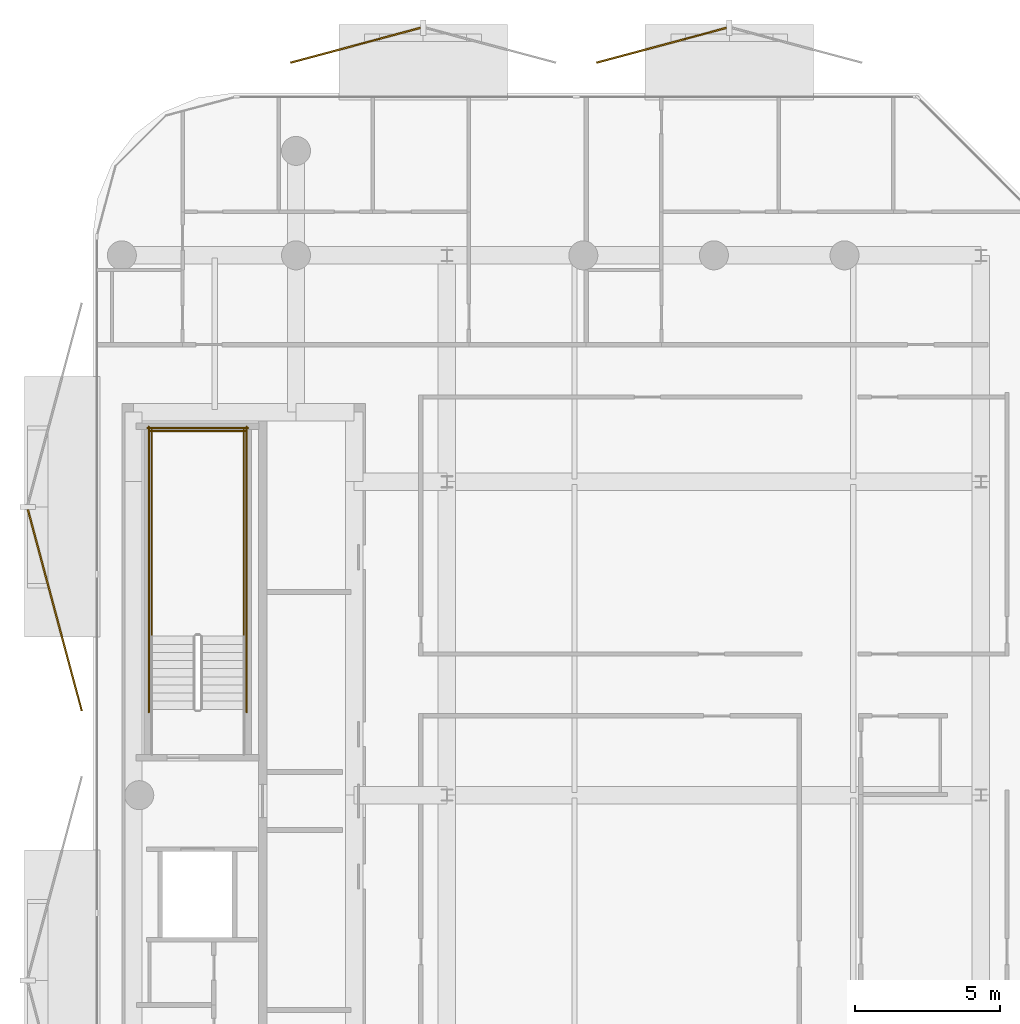
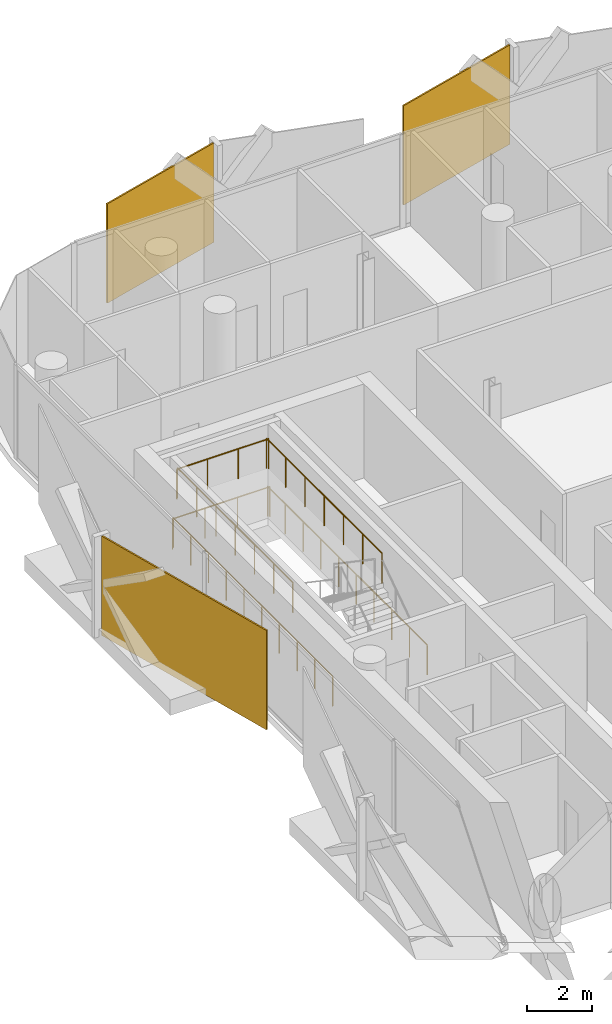
# One storey, part 17 of 17: 6 railings, 3 coverings.
"""IFC4 building model written with IfcOpenShell, lengths in metres."""

from ifc_helpers import new_model, si_unit, direction, frame, origin, origin_2d, place, context, subcontext, project, spatial, rectangle, circle, extrude, material, layer, layer_set, type_object, element, save


model = new_model("IFC4")

# Units and contexts
model_context = context("Model", 3, precision=1e-05, world=origin(), true_north=direction((0.0, 1.0)))
body_context = subcontext(model_context, "Body", "Model", "MODEL_VIEW")
ifc_project = project(units=[si_unit("LENGTHUNIT", "METRE"), si_unit("AREAUNIT", "SQUARE_METRE"), si_unit("VOLUMEUNIT", "CUBIC_METRE"), si_unit("PLANEANGLEUNIT", "RADIAN"), si_unit("MASSUNIT", "GRAM", prefix="KILO")], contexts=[model_context])

# Site, building, storey
site_placement = place(None, origin())
site = spatial("IfcSite", under=ifc_project, at=site_placement, CompositionType="ELEMENT")
building_placement = place(site_placement, origin())
building = spatial("IfcBuilding", under=site, at=building_placement, Name="Khairoan Windgate Tower", CompositionType="ELEMENT")
storey_placement = place(building_placement, frame((0.0, 0.0, 304.199951171875)))
storey = spatial("IfcBuildingStorey", under=building, at=storey_placement, Name="L73", CompositionType="ELEMENT", Elevation=304.199951171875)

# Coverings
ifc_material_1 = material(Name="Anodised Bronze Aluminium 6063-T6", Category="aluminium")
ifc_layer = layer(ifc_material_1, 0.054931640625, Name="Anodised Bronze Aluminium 6063-T6")
ifc_layer_set = layer_set([ifc_layer], Name="Anodised Bronze Aluminium 6063-T6")
covering_type = type_object("IfcCoveringType", Name="Perforated Bronze-Ceramic Folded Solar Screen Cladding BSC-1", PredefinedType="CLADDING", material=ifc_layer_set)
covering_placement = place(storey_placement, frame((-22.7109375, 6.37548828125, -0.10009765625), z_axis=(0.0, 0.0, 1.0), x_axis=(-0.258819045103, 0.965925826289, 0.0)))
element("IfcCovering", 1, at=covering_placement, inside=storey, type_object=covering_type, Name="L73 Folded Bronze Solar Screen Facet 513L", PredefinedType="CLADDING", context=body_context, shape_type="SweptSolid", body=[
    extrude(rectangle(XDim=7.178955078125, YDim=0.054931640625, at=origin_2d()), origin(), (0.0, 0.0, 1.0), 3.739990234375),
])
for number, where, z_axis, x_axis, name in (
    (2, (-12.348388671875, 25.839599609375, -0.10009765625), (0.0, 0.0, 1.0), (0.965925826289, 0.258819045103, 0.0), "L73 Folded Bronze Solar Screen Facet 514L"),
    (3, (-1.802001953125, 25.839599609375, -0.10009765625), (0.0, 0.0, 1.0), (0.965925826289, 0.258819045103, 0.0), "L73 Folded Bronze Solar Screen Facet 515L"),
):
    element("IfcCovering", number, at=place(storey_placement, frame(where, z_axis=z_axis, x_axis=x_axis)), inside=storey, type_object=covering_type, Name=name, PredefinedType="CLADDING", context=body_context, shape_type="SweptSolid", body=[
        extrude(rectangle(XDim=4.639892578125, YDim=0.054931640625, at=origin_2d()), origin(), (0.0, 0.0, 1.0), 3.739990234375),
    ])

# Railings
ifc_material_2 = material(Name="Steel S355", Category="steel")
railing_type = type_object("IfcRailingType", Name="Stairwell Safety Guardrail SGR-1150", PredefinedType="GUARDRAIL", material=ifc_material_2)
for number, where, name in (
    (4, (-16.199951171875, 5.47998046875, 1.900146484375), "L73 ST2 stair guard 3"),
    (5, (-19.3701171875, 5.47998046875, 1.900146484375), "L73 ST2 stair guard 4"),
):
    element("IfcRailing", number, at=place(storey_placement, frame(where)), inside=storey, type_object=railing_type, Name=name, PredefinedType="GUARDRAIL", context=body_context, shape_type="SweptSolid", body=[
        extrude(circle(Radius=0.02392578125, at=origin_2d()), frame((0.0, 0.0, 1.1259765625), z_axis=(0.0, 1.0, 0.0), x_axis=(-1.0, 0.0, 0.0)), (0.0, 0.0, 1.0), 7.1201171875),
        extrude(circle(Radius=0.02099609375, at=origin_2d()), origin(), (0.0, 0.0, 1.0), 1.101806640625),
        extrude(circle(Radius=0.02099609375, at=origin_2d()), frame((0.0, 1.186767578125, 0.0)), (0.0, 0.0, 1.0), 1.101806640625),
        extrude(circle(Radius=0.02099609375, at=origin_2d()), frame((0.0, 2.373291015625, 0.0)), (0.0, 0.0, 1.0), 1.101806640625),
        extrude(circle(Radius=0.02099609375, at=origin_2d()), frame((0.0, 3.56005859375, 0.0)), (0.0, 0.0, 1.0), 1.101806640625),
        extrude(circle(Radius=0.02099609375, at=origin_2d()), frame((0.0, 4.746826171875, 0.0)), (0.0, 0.0, 1.0), 1.101806640625),
        extrude(circle(Radius=0.02099609375, at=origin_2d()), frame((0.0, 5.933349609375, 0.0)), (0.0, 0.0, 1.0), 1.101806640625),
        extrude(circle(Radius=0.02099609375, at=origin_2d()), frame((0.0, 7.1201171875, 0.0)), (0.0, 0.0, 1.0), 1.101806640625),
    ])
railing_1_placement = place(storey_placement, frame((-16.14990234375, 12.550048828125, 1.900146484375)))
element("IfcRailing", 6, at=railing_1_placement, inside=storey, type_object=railing_type, Name="L73 ST2 stair guard 5", PredefinedType="GUARDRAIL", context=body_context, shape_type="SweptSolid", body=[
    extrude(circle(Radius=0.02392578125, at=origin_2d()), frame((0.0, 0.0, 1.1259765625), z_axis=(-1.0, 0.0, 0.0), x_axis=(0.0, -1.0, 0.0)), (0.0, 0.0, 1.0), 3.27001953125),
    extrude(circle(Radius=0.02099609375, at=origin_2d()), origin(), (0.0, 0.0, 1.0), 1.101806640625),
    extrude(circle(Radius=0.02099609375, at=origin_2d()), frame((-1.090087890625, 0.0, 0.0)), (0.0, 0.0, 1.0), 1.101806640625),
    extrude(circle(Radius=0.02099609375, at=origin_2d()), frame((-2.179931640625, 0.0, 0.0)), (0.0, 0.0, 1.0), 1.101806640625),
    extrude(circle(Radius=0.02099609375, at=origin_2d()), frame((-3.27001953125, 0.0, 0.0)), (0.0, 0.0, 1.0), 1.101806640625),
])
for number, where, name in (
    (7, (-16.10009765625, 2.860107421875, 0.0), "L73 ST2 stair guard 10"),
    (8, (-19.469970703125, 2.860107421875, 0.0), "L73 ST2 stair guard 11"),
):
    element("IfcRailing", number, at=place(storey_placement, frame(where)), inside=storey, type_object=railing_type, Name=name, PredefinedType="GUARDRAIL", context=body_context, shape_type="SweptSolid", body=[
        extrude(circle(Radius=0.02392578125, at=origin_2d()), frame((0.0, 0.0, 1.1259765625), z_axis=(0.0, 1.0, 0.0), x_axis=(-1.0, 0.0, 0.0)), (0.0, 0.0, 1.0), 9.83984375),
        extrude(circle(Radius=0.02099609375, at=origin_2d()), origin(), (0.0, 0.0, 1.0), 1.101806640625),
        extrude(circle(Radius=0.02099609375, at=origin_2d()), frame((0.0, 1.09326171875, 0.0)), (0.0, 0.0, 1.0), 1.101806640625),
        extrude(circle(Radius=0.02099609375, at=origin_2d()), frame((0.0, 2.1865234375, 0.0)), (0.0, 0.0, 1.0), 1.101806640625),
        extrude(circle(Radius=0.02099609375, at=origin_2d()), frame((0.0, 3.280029296875, 0.0)), (0.0, 0.0, 1.0), 1.101806640625),
        extrude(circle(Radius=0.02099609375, at=origin_2d()), frame((0.0, 4.373291015625, 0.0)), (0.0, 0.0, 1.0), 1.101806640625),
        extrude(circle(Radius=0.02099609375, at=origin_2d()), frame((0.0, 5.466552734375, 0.0)), (0.0, 0.0, 1.0), 1.101806640625),
        extrude(circle(Radius=0.02099609375, at=origin_2d()), frame((0.0, 6.559814453125, 0.0)), (0.0, 0.0, 1.0), 1.101806640625),
        extrude(circle(Radius=0.02099609375, at=origin_2d()), frame((0.0, 7.6533203125, 0.0)), (0.0, 0.0, 1.0), 1.101806640625),
        extrude(circle(Radius=0.02099609375, at=origin_2d()), frame((0.0, 8.74658203125, 0.0)), (0.0, 0.0, 1.0), 1.101806640625),
        extrude(circle(Radius=0.02099609375, at=origin_2d()), frame((0.0, 9.83984375, 0.0)), (0.0, 0.0, 1.0), 1.101806640625),
    ])
railing_2_placement = place(storey_placement, frame((-16.050048828125, 12.64990234375, 0.0)))
element("IfcRailing", 9, at=railing_2_placement, inside=storey, type_object=railing_type, Name="L73 ST2 stair guard 12", PredefinedType="GUARDRAIL", context=body_context, shape_type="SweptSolid", body=[
    extrude(circle(Radius=0.02392578125, at=origin_2d()), frame((0.0, 0.0, 1.1259765625), z_axis=(-1.0, 0.0, 0.0), x_axis=(0.0, -1.0, 0.0)), (0.0, 0.0, 1.0), 3.469970703125),
    extrude(circle(Radius=0.02099609375, at=origin_2d()), origin(), (0.0, 0.0, 1.0), 1.101806640625),
    extrude(circle(Radius=0.02099609375, at=origin_2d()), frame((-1.15673828125, 0.0, 0.0)), (0.0, 0.0, 1.0), 1.101806640625),
    extrude(circle(Radius=0.02099609375, at=origin_2d()), frame((-2.313232421875, 0.0, 0.0)), (0.0, 0.0, 1.0), 1.101806640625),
    extrude(circle(Radius=0.02099609375, at=origin_2d()), frame((-3.469970703125, 0.0, 0.0)), (0.0, 0.0, 1.0), 1.101806640625),
])

save(model, "model.ifc")
